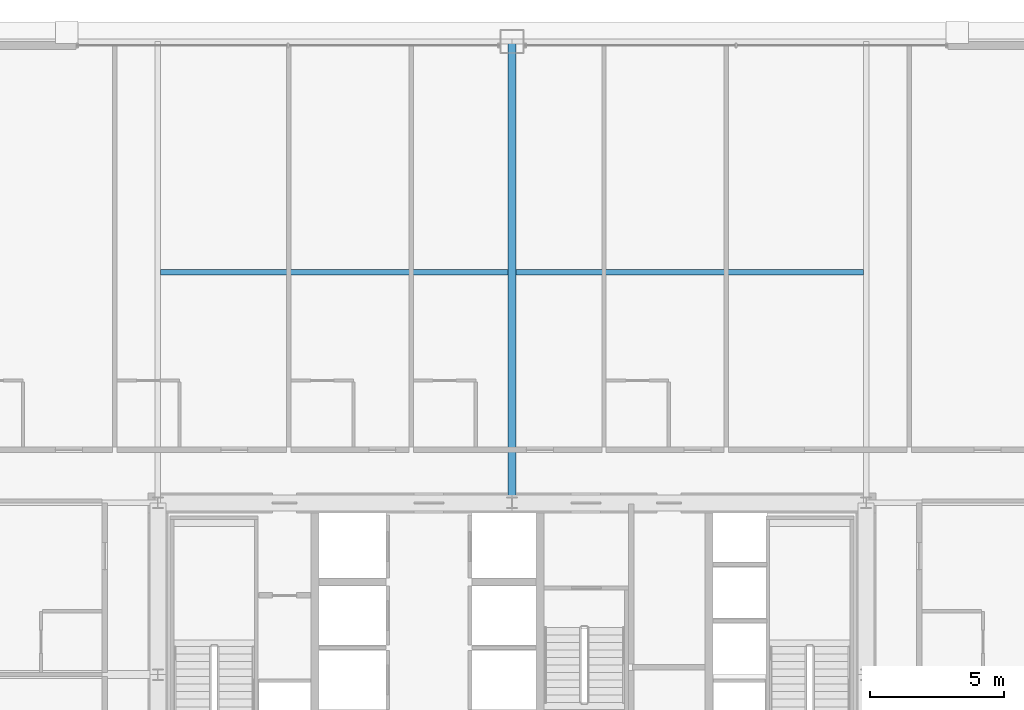
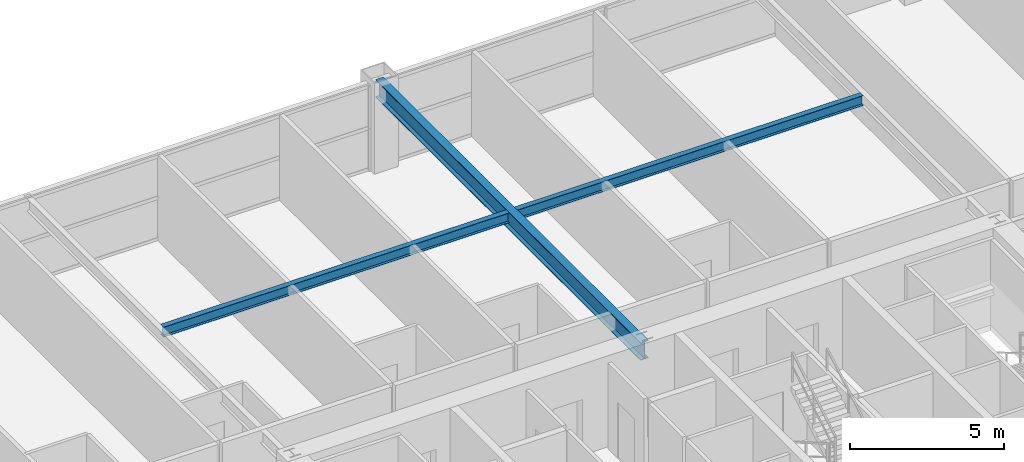
# One storey, part 25 of 38: 3 beams.
"""IFC4 building model written with IfcOpenShell, lengths in metres."""

import ifcopenshell
import ifcopenshell.guid

model = None  # the IFC model being written
_history = None  # IfcOwnerHistory: only IFC2X3 demands one
_inside = {}  # id of a spatial element -> (the spatial element, [elements in it])
_under = {}  # id of a project, library or spatial element -> (it, [spatial elements below it])
_declared = {}  # id of a project -> (the project, [libraries it declares])
_typed = {}  # id of a type object -> (the type object, [elements of that type])
_made_of = {}  # id of a material, layer set ... -> (it, [elements and type objects made of it])


def new_model(schema):
    """Start an empty IFC model of exactly this schema.

    Asked for "IFC4X3", IfcOpenShell would pick the latest addendum, in which some entities
    have other attributes; the version numbers below select the first issue.
    IFC2X3 requires an IfcOwnerHistory on every rooted entity: one is made here for all.
    """
    global model, _history
    if schema == "IFC4X3":
        model = ifcopenshell.file(schema_version=(4, 3, 0, 0))
    else:
        model = ifcopenshell.file(schema=schema)
    _inside.clear()
    _under.clear()
    _declared.clear()
    _typed.clear()
    _made_of.clear()
    _history = None
    if model.schema == "IFC2X3":
        org = make("IfcOrganization", Name="unknown")
        user = make(
            "IfcPersonAndOrganization",
            ThePerson=make("IfcPerson", FamilyName="unknown"),
            TheOrganization=org,
        )
        app = make(
            "IfcApplication",
            ApplicationDeveloper=org,
            Version="unknown",
            ApplicationFullName="unknown",
            ApplicationIdentifier="unknown",
        )
        _history = make(
            "IfcOwnerHistory",
            OwningUser=user,
            OwningApplication=app,
            ChangeAction="ADDED",
            CreationDate=0,
        )
    return model


def make(cls, **values):
    """One entity of the class cls with the attributes given. An attribute that is None is left unset."""
    return model.create_entity(
        cls, **{name: value for name, value in values.items() if value is not None}
    )


def rooted(cls, **values):
    """An entity with a GlobalId (a new one), such as an element, a storey or a relation."""
    return make(cls, GlobalId=ifcopenshell.guid.new(), OwnerHistory=_history, **values)


def si_unit(unit_type, name, prefix=None):
    """IfcSIUnit, for example si_unit("LENGTHUNIT", "METRE", prefix="MILLI")."""
    return make("IfcSIUnit", UnitType=unit_type, Prefix=prefix, Name=name)


def assignment(units):
    """IfcUnitAssignment: the units of a project."""
    return None if units is None else make("IfcUnitAssignment", Units=units)


def point(xyz):
    """IfcCartesianPoint."""
    return None if xyz is None else make("IfcCartesianPoint", Coordinates=xyz)


def direction(xyz):
    """IfcDirection."""
    return None if xyz is None else make("IfcDirection", DirectionRatios=xyz)


def frame(location, z_axis=None, x_axis=None):
    """IfcAxis2Placement3D, a coordinate frame: its origin and axes. An axis left out is left unset."""
    return make(
        "IfcAxis2Placement3D",
        Location=point(location),
        Axis=direction(z_axis),
        RefDirection=direction(x_axis),
    )


def frame_2d(location, x_axis=None):
    """IfcAxis2Placement2D, a coordinate frame in the plane: its origin and x axis."""
    return make(
        "IfcAxis2Placement2D", Location=point(location), RefDirection=direction(x_axis)
    )


def origin():
    """The frame at (0, 0, 0) with its axes left unset."""
    return frame((0.0, 0.0, 0.0))


def origin_2d():
    """The frame at (0, 0) in the plane with its x axis left unset."""
    return frame_2d((0.0, 0.0))


def place(relative_to, where):
    """IfcLocalPlacement: puts the frame where relative to a parent placement (None: the world)."""
    return make(
        "IfcLocalPlacement", PlacementRelTo=relative_to, RelativePlacement=where
    )


def context(
    kind, dimensions, precision=None, world=None, true_north=None, identifier=None
):
    """IfcGeometricRepresentationContext, for example the 3D "Model" context."""
    return make(
        "IfcGeometricRepresentationContext",
        ContextIdentifier=identifier,
        ContextType=kind,
        CoordinateSpaceDimension=dimensions,
        Precision=precision,
        WorldCoordinateSystem=world,
        TrueNorth=true_north,
    )


def subcontext(parent, identifier, kind, view, scale=None):
    """IfcGeometricRepresentationSubContext, for example "Body" below "Model"."""
    return make(
        "IfcGeometricRepresentationSubContext",
        ContextIdentifier=identifier,
        ContextType=kind,
        ParentContext=parent,
        TargetScale=scale,
        TargetView=view,
    )


def project(units=None, contexts=None):
    """IfcProject with its units and contexts."""
    return rooted(
        "IfcProject",
        Name="project",
        RepresentationContexts=contexts,
        UnitsInContext=assignment(units),
    )


def spatial(cls, under=None, at=None, **own):
    """A site, building, storey or space (cls), placed at a placement, below another one or the project."""
    s = rooted(cls, ObjectPlacement=at, **own)
    if under is not None:
        _under.setdefault(under.id(), (under, []))[1].append(s)
    return s


def profile(cls, at=None, kind="AREA", **sizes):
    """A parametric profile (cls). Its sizes go by their IFC names, for example OverallWidth=200.0."""
    return make(cls, ProfileType=kind, Position=at, **sizes)


def i_section(**sizes):
    """IfcIShapeProfileDef."""
    return profile("IfcIShapeProfileDef", **sizes)


def extrude(swept, where, along, depth):
    """IfcExtrudedAreaSolid: the profile swept, set in the frame where, extruded along a direction by depth."""
    return make(
        "IfcExtrudedAreaSolid",
        SweptArea=swept,
        Position=where,
        ExtrudedDirection=direction(along),
        Depth=depth,
    )


def shape(context_of_items, identifier, shape_type, items):
    """IfcShapeRepresentation: the items that make up one representation, for example the "Body"."""
    return make(
        "IfcShapeRepresentation",
        ContextOfItems=context_of_items,
        RepresentationIdentifier=identifier,
        RepresentationType=shape_type,
        Items=items,
    )


def source(mapping_origin, context_of_items, identifier, shape_type, items):
    """IfcRepresentationMap: a shape defined once, which mapped items show again and again."""
    return make(
        "IfcRepresentationMap",
        MappingOrigin=mapping_origin,
        MappedRepresentation=shape(context_of_items, identifier, shape_type, items),
    )


def transform(
    local_origin,
    x_axis=None,
    y_axis=None,
    z_axis=None,
    scale=None,
    scale2=None,
    scale3=None,
    uniform=True,
):
    """IfcCartesianTransformationOperator3D, or its non-uniform kind. x_axis, y_axis, z_axis: its Axis1, 2, 3."""
    if uniform:
        return make(
            "IfcCartesianTransformationOperator3D",
            Axis1=direction(x_axis),
            Axis2=direction(y_axis),
            LocalOrigin=point(local_origin),
            Scale=scale,
            Axis3=direction(z_axis),
        )
    return make(
        "IfcCartesianTransformationOperator3DnonUniform",
        Axis1=direction(x_axis),
        Axis2=direction(y_axis),
        LocalOrigin=point(local_origin),
        Scale=scale,
        Axis3=direction(z_axis),
        Scale2=scale2,
        Scale3=scale3,
    )


def mapped(mapping_source, mapping_target):
    """IfcMappedItem: shows the shape of a source again, moved by a transform."""
    return make(
        "IfcMappedItem", MappingSource=mapping_source, MappingTarget=mapping_target
    )


def material(Name=None, Category=None):
    """IfcMaterial."""
    return make("IfcMaterial", Name=Name, Category=Category)


def material_profile(
    of_material, cross_section, Name=None, Category=None, Priority=None
):
    """IfcMaterialProfile: a cross section and its material."""
    return make(
        "IfcMaterialProfile",
        Name=Name,
        Material=of_material,
        Profile=cross_section,
        Priority=Priority,
        Category=Category,
    )


def profile_set(profiles, Name=None, composite=None):
    """IfcMaterialProfileSet."""
    return make(
        "IfcMaterialProfileSet",
        Name=Name,
        MaterialProfiles=profiles,
        CompositeProfile=composite,
    )


def made_of(thing, what):
    """Note that an element or type object is made of a material, layer set ...; save() writes the relation."""
    if what is not None:
        _made_of.setdefault(what.id(), (what, []))[1].append(thing)
    return thing


def type_object(cls, material=None, **own):
    """A type object (cls), such as IfcWallType, which elements share."""
    return made_of(rooted(cls, **own), material)


def element(
    cls,
    number,
    at=None,
    inside=None,
    cuts=None,
    type_object=None,
    material=None,
    context=None,
    identifier="Body",
    shape_type=None,
    held_by="IfcProductDefinitionShape",
    body=None,
    shapes=None,
    **own,
):
    """One element of the class cls, such as IfcWall. Its Tag is "e" and its number.

    at: its placement. inside: the storey or other place that contains it. cuts: it is an
    opening in that element (IfcRelVoidsElement). A single representation is given by context,
    identifier, shape_type and body (its items); several are given by shapes. held_by: the class
    of the entity that holds the representations. save() writes the other relations.
    """
    e = rooted(cls, Tag="e%d" % number, ObjectPlacement=at, **own)
    if body is not None:
        shapes = [shape(context, identifier, shape_type, body)]
    if shapes is not None:
        e.Representation = make(held_by, Representations=shapes)
    if inside is not None:
        _inside.setdefault(inside.id(), (inside, []))[1].append(e)
    if cuts is not None:
        rooted(
            "IfcRelVoidsElement", RelatingBuildingElement=cuts, RelatedOpeningElement=e
        )
    if type_object is not None:
        _typed.setdefault(type_object.id(), (type_object, []))[1].append(e)
    return made_of(e, material)


def aggregate(whole, parts):
    """IfcRelAggregates: a whole, such as a stair, and the parts it consists of."""
    return rooted("IfcRelAggregates", RelatingObject=whole, RelatedObjects=parts)


def save(model, path):
    """Write the relations noted so far, then the file.

    IfcRelAggregates (storeys below a building ...), IfcRelContainedInSpatialStructure (elements
    in a storey), IfcRelDefinesByType, IfcRelAssociatesMaterial and IfcRelDeclares: one each for
    every whole, place, type object, material and project.
    """
    for whole, parts in _under.values():
        aggregate(whole, parts)
    for where, things in _inside.values():
        rooted(
            "IfcRelContainedInSpatialStructure",
            RelatedElements=things,
            RelatingStructure=where,
        )
    for kind, things in _typed.values():
        rooted("IfcRelDefinesByType", RelatedObjects=things, RelatingType=kind)
    for what, things in _made_of.values():
        rooted("IfcRelAssociatesMaterial", RelatedObjects=things, RelatingMaterial=what)
    for by, libraries in _declared.values():
        rooted("IfcRelDeclares", RelatingContext=by, RelatedDefinitions=libraries)
    model.write(path)


model = new_model("IFC4")

# Units and contexts
model_context = context("Model", 3, precision=1e-05, world=origin(), true_north=direction((0.0, 1.0)))
body_context = subcontext(model_context, "Body", "Model", "MODEL_VIEW")
ifc_project = project(units=[si_unit("LENGTHUNIT", "METRE"), si_unit("AREAUNIT", "SQUARE_METRE"), si_unit("VOLUMEUNIT", "CUBIC_METRE"), si_unit("PLANEANGLEUNIT", "RADIAN"), si_unit("MASSUNIT", "GRAM", prefix="KILO"), si_unit("THERMODYNAMICTEMPERATUREUNIT", "KELVIN"), si_unit("POWERUNIT", "WATT")], contexts=[model_context])

# Site, building, storey
site_placement = place(None, origin())
site = spatial("IfcSite", under=ifc_project, at=site_placement, CompositionType="ELEMENT")
building_placement = place(site_placement, origin())
building = spatial("IfcBuilding", under=site, at=building_placement, Name="Yuzanri Waterfront Tower", CompositionType="ELEMENT")
storey_placement = place(building_placement, frame((0.0, 0.0, 97.39990234375)))
storey = spatial("IfcBuildingStorey", under=building, at=storey_placement, Name="L25", CompositionType="ELEMENT", Elevation=97.39990234375)

# Beams
ifc_material_1 = material(Name="Steel Q355B", Category="steel")
ifc_material_profile_1 = material_profile(ifc_material_1, i_section(OverallWidth=0.199951171875, OverallDepth=0.39990234375, WebThickness=0.008056640625, FlangeThickness=0.012939453125, at=origin_2d()), Name="HN 400x200x8x13")
ifc_profile_set_1 = profile_set([ifc_material_profile_1], Name="Steel Q355B")
beam_type_1 = type_object("IfcBeamType", Name="Floor Joist Q355B HN 400x200", PredefinedType="JOIST", material=ifc_profile_set_1)
shared_shape_1 = source(origin(), body_context, "Body", "SweptSolid", [
    extrude(i_section(OverallWidth=0.199951171875, OverallDepth=0.39990234375, WebThickness=0.008056640625, FlangeThickness=0.012939453125, at=origin_2d()), origin(), (0.0, 0.0, 1.0), 12.9501953125),
])
for number, where, z_axis, x_axis, name in (
    (1, (23.89990234375, 40.800048828125, 3.18017578125), (1.0, 0.0, 0.0), (0.0, 1.0, 0.0), "L25 North Bay Joist W"),
    (2, (37.14990234375, 40.800048828125, 3.18017578125), (1.0, 0.0, 0.0), (0.0, 1.0, 0.0), "L25 North Bay Joist E"),
):
    element("IfcBeam", number, at=place(storey_placement, frame(where, z_axis=z_axis, x_axis=x_axis)), inside=storey, type_object=beam_type_1, Name=name, PredefinedType="JOIST", context=body_context, shape_type="MappedRepresentation", body=[
        mapped(shared_shape_1, transform((0.0, 0.0, 0.0), scale=1.0)),
    ])
ifc_material_2 = material(Name="Steel Q355B", Category="steel")
ifc_material_profile_2 = material_profile(ifc_material_2, i_section(OverallWidth=0.300048828125, OverallDepth=0.699951171875, WebThickness=0.012939453125, FlangeThickness=0.02392578125, at=origin_2d()), Name="HN 700x300x13x24")
ifc_profile_set_2 = profile_set([ifc_material_profile_2], Name="Steel Q355B")
beam_type_2 = type_object("IfcBeamType", Name="Primary Floor Girder Q355B HN 700x300", PredefinedType="BEAM", material=ifc_profile_set_2)
shared_shape_2 = source(origin(), body_context, "Body", "SweptSolid", [
    extrude(i_section(OverallWidth=0.300048828125, OverallDepth=0.699951171875, WebThickness=0.012939453125, FlangeThickness=0.02392578125, at=origin_2d()), origin(), (0.0, 0.0, 1.0), 17.199951171875),
])
beam_placement = place(storey_placement, frame((37.0, 32.199951171875, 3.030029296875), z_axis=(0.0, 1.0, 0.0), x_axis=(-1.0, 0.0, 0.0)))
element("IfcBeam", 3, at=beam_placement, inside=storey, type_object=beam_type_2, Name="L25 North Grid Girder", PredefinedType="BEAM", context=body_context, shape_type="MappedRepresentation", body=[
    mapped(shared_shape_2, transform((0.0, 0.0, 0.0), scale=1.0)),
])

save(model, "model.ifc")
